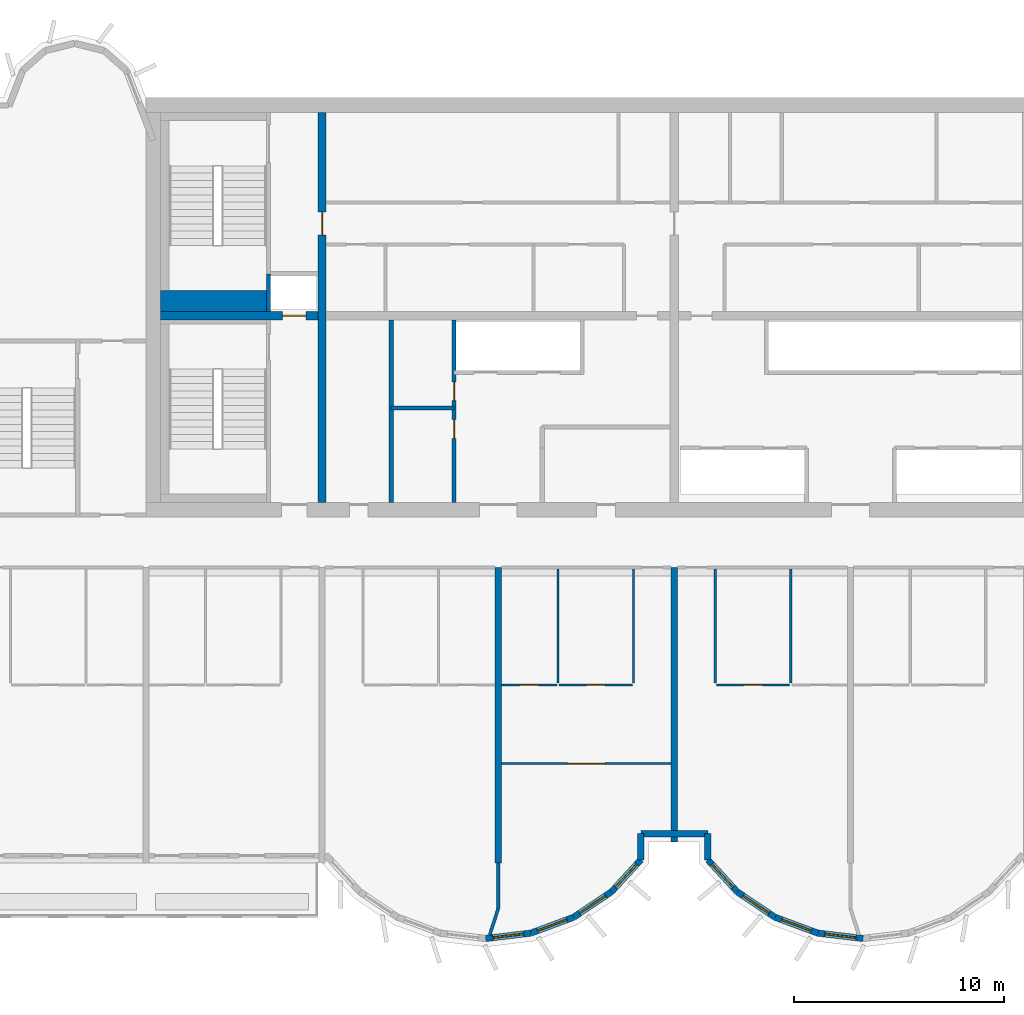
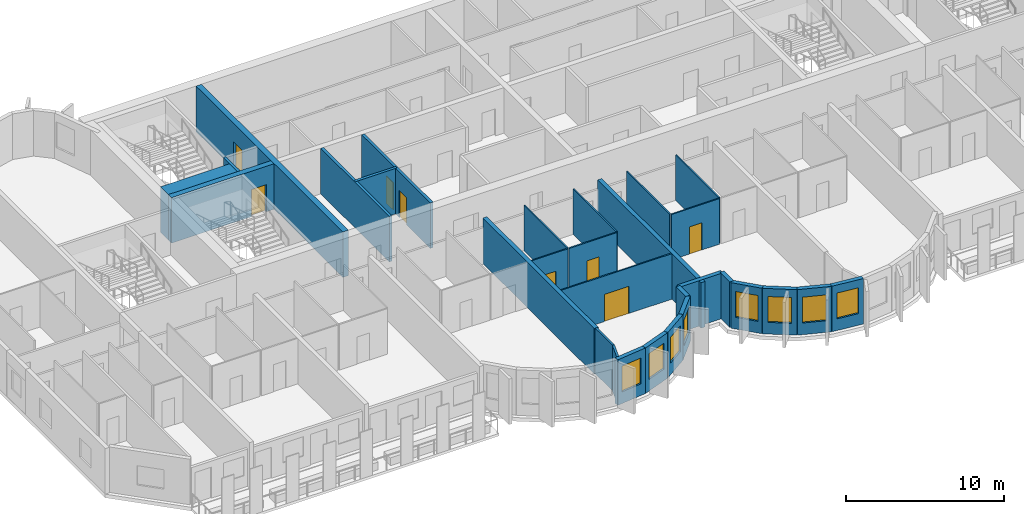
# One storey, part 4 of 13: 30 walls, 8 doors, 8 windows, 16 openings.
"""IFC4 building model written with IfcOpenShell, lengths in metres."""

from ifc_helpers import new_model, si_unit, direction, frame, frame_2d, origin, place, context, subcontext, project, spatial, rectangle, extrude, source, transform, mapped, material, layer, layer_set, type_object, element, fill, save


model = new_model("IFC4")

# Units and contexts
model_context = context("Model", 3, precision=1e-05, world=origin(), true_north=direction((0.0, 1.0)))
body_context = subcontext(model_context, "Body", "Model", "MODEL_VIEW")
ifc_project = project(units=[si_unit("LENGTHUNIT", "METRE"), si_unit("AREAUNIT", "SQUARE_METRE"), si_unit("VOLUMEUNIT", "CUBIC_METRE"), si_unit("PLANEANGLEUNIT", "RADIAN"), si_unit("MASSUNIT", "GRAM", prefix="KILO")], contexts=[model_context])

# Site, building, storey
site_placement = place(None, origin())
site = spatial("IfcSite", under=ifc_project, at=site_placement, CompositionType="ELEMENT")
building_placement = place(site_placement, origin())
building = spatial("IfcBuilding", under=site, at=building_placement, Name="Vanashikhar Sky Hotel", CompositionType="ELEMENT")
storey_placement = place(building_placement, frame((0.0, 0.0, 189.60009765625)))
storey = spatial("IfcBuildingStorey", under=building, at=storey_placement, Name="L46", CompositionType="ELEMENT", Elevation=189.60009765625)

# Wall, opening, door
ifc_material_1 = material(Name="Concrete M60", Category="concrete")
ifc_layer_1 = layer(ifc_material_1, 0.39990234375)
ifc_layer_set_1 = layer_set([ifc_layer_1], Name="RC core inner wall 400 Concrete M60")
wall_type_1 = type_object("IfcWallType", Name="RC core inner wall 400 Concrete M60", PredefinedType="SHEAR", material=ifc_layer_set_1)
shared_shape_1 = source(origin(), body_context, "Body", "SweptSolid", [
    extrude(rectangle(XDim=18.60009765625, YDim=0.39990234375, at=frame_2d((9.300048828125, 0.0))), origin(), (0.0, 0.0, 1.0), 3.52001953125),
])
wall_1_placement = place(storey_placement, frame((33.60009765625, 22.699951171875, 0.0), z_axis=(0.0, 0.0, 1.0), x_axis=(0.0, 1.0, 0.0)))
wall_1 = element("IfcWall", 1, at=wall_1_placement, inside=storey, type_object=wall_type_1, Name="KW-L46-KX1", PredefinedType="SHEAR", context=body_context, shape_type="MappedRepresentation", body=[
    mapped(shared_shape_1, transform((0.0, 0.0, 0.0), scale=1.0)),
])
shared_shape_2 = source(origin(), body_context, "Body", "SweptSolid", [
    extrude(rectangle(XDim=1.10009765625, YDim=2.10009765625, at=frame_2d((0.550048828125, 1.050048828125))), frame((0.0, 0.2099609375, 0.0), z_axis=(0.0, -1.0, 0.0), x_axis=(1.0, 0.0, 0.0)), (0.0, 0.0, 1.0), 0.419921875),
])
opening_1_placement = place(wall_1_placement, frame((12.75, 0.0, 0.0)))
opening_1 = element("IfcOpeningElement", 2, at=opening_1_placement, cuts=wall_1, Name="Opening DC-4-C", PredefinedType="OPENING", context=body_context, shape_type="MappedRepresentation", body=[
    mapped(shared_shape_2, transform((0.0, 0.0, 0.0), scale=1.0)),
])
ifc_material_2 = material(Name="Steel", Category="steel")
door_type_1 = type_object("IfcDoorType", Name="Service door 1100 FD60", OperationType="NOTDEFINED", PredefinedType="DOOR", material=ifc_material_2)
shared_shape_3 = source(origin(), body_context, "Body", "SweptSolid", [
    extrude(rectangle(XDim=1.10009765625, YDim=2.10009765625, at=frame_2d((0.550048828125, 1.050048828125))), frame((0.0, 0.02490234375, 0.0), z_axis=(0.0, -1.0, 0.0), x_axis=(1.0, 0.0, 0.0)), (0.0, 0.0, 1.0), 0.050048828125),
])
door_1_placement = place(opening_1_placement, origin())
door_1 = element("IfcDoor", 3, at=door_1_placement, inside=storey, type_object=door_type_1, Name="Service door 1100 FD60", OperationType="SINGLE_SWING_LEFT", OverallHeight=2.10009765625, OverallWidth=1.10009765625, PredefinedType="DOOR", context=body_context, shape_type="MappedRepresentation", body=[
    mapped(shared_shape_3, transform((0.0, 0.0, 0.0), scale=1.0)),
])
fill(opening_1, door_1)

shared_shape_4 = source(origin(), body_context, "Body", "SweptSolid", [
    extrude(rectangle(XDim=7.5, YDim=0.39990234375, at=frame_2d((3.75, 0.0))), origin(), (0.0, 0.0, 1.0), 3.52001953125),
])
wall_2_placement = place(storey_placement, frame((25.89990234375, 31.60009765625, 0.0), z_axis=(0.0, 0.0, 1.0), x_axis=(1.0, 0.0, 0.0)))
wall_2 = element("IfcWall", 4, at=wall_2_placement, inside=storey, type_object=wall_type_1, Name="KW-L46-KY1", PredefinedType="SHEAR", context=body_context, shape_type="MappedRepresentation", body=[
    mapped(shared_shape_4, transform((0.0, 0.0, 0.0), scale=1.0)),
])
opening_2_placement = place(wall_2_placement, frame((5.824951171875, 0.0, 0.0)))
opening_2 = element("IfcOpeningElement", 5, at=opening_2_placement, cuts=wall_2, Name="Opening LD", PredefinedType="OPENING", context=body_context, shape_type="MappedRepresentation", body=[
    mapped(shared_shape_2, transform((0.0, 0.0, 0.0), scale=1.0)),
])
ifc_material_3 = material(Name="Stainless steel", Category="steel")
door_type_2 = type_object("IfcDoorType", Name="Lift landing door 1100", OperationType="NOTDEFINED", PredefinedType="DOOR", material=ifc_material_3)
door_2_placement = place(opening_2_placement, origin())
door_2 = element("IfcDoor", 6, at=door_2_placement, inside=storey, type_object=door_type_2, Name="Lift landing door 1100", OperationType="SLIDING_TO_RIGHT", OverallHeight=2.10009765625, OverallWidth=1.10009765625, PredefinedType="DOOR", context=body_context, shape_type="MappedRepresentation", body=[
    mapped(shared_shape_3, transform((0.0, 0.0, 0.0), scale=1.0)),
])
fill(opening_2, door_2)

# Walls
ifc_layer_2 = layer(ifc_material_1, 0.300048828125)
ifc_layer_set_2 = layer_set([ifc_layer_2], Name="RC shear wall 300 Concrete M60")
wall_type_2 = type_object("IfcWallType", Name="RC shear wall 300 Concrete M60", PredefinedType="SHEAR", material=ifc_layer_set_2)
shared_shape_5 = source(origin(), body_context, "Body", "SweptSolid", [
    extrude(rectangle(XDim=14.10009765625, YDim=0.300048828125, at=frame_2d((7.050048828125, 0.0))), origin(), (0.0, 0.0, 1.0), 3.52001953125),
])
wall_3_placement = place(storey_placement, frame((42.0, 5.5, 0.0), z_axis=(0.0, 0.0, 1.0), x_axis=(0.0, 1.0, 0.0)))
element("IfcWall", 7, at=wall_3_placement, inside=storey, type_object=wall_type_2, Name="CW-L46-XW06-1", PredefinedType="SHEAR", context=body_context, shape_type="MappedRepresentation", body=[
    mapped(shared_shape_5, transform((0.0, 0.0, 0.0), scale=1.0)),
])
shared_shape_6 = source(origin(), body_context, "Body", "SweptSolid", [
    extrude(rectangle(XDim=13.10009765625, YDim=0.300048828125, at=frame_2d((6.550048828125, 0.0))), origin(), (0.0, 0.0, 1.0), 3.52001953125),
])
wall_4_placement = place(storey_placement, frame((50.39990234375, 6.5, 0.0), z_axis=(0.0, 0.0, 1.0), x_axis=(0.0, 1.0, 0.0)))
element("IfcWall", 8, at=wall_4_placement, inside=storey, type_object=wall_type_2, Name="CW-L46-XW07-1", PredefinedType="SHEAR", context=body_context, shape_type="MappedRepresentation", body=[
    mapped(shared_shape_6, transform((0.0, 0.0, 0.0), scale=1.0)),
])

# Wall, opening, window
ifc_material_4 = material(Name="Concrete M50", Category="concrete")
ifc_layer_3 = layer(ifc_material_4, 0.300048828125)
ifc_layer_set_3 = layer_set([ifc_layer_3], Name="Lobe wall 300")
wall_type_3 = type_object("IfcWallType", Name="Lobe wall 300", PredefinedType="SOLIDWALL", material=ifc_layer_set_3)
shared_shape_7 = source(origin(), body_context, "Body", "SweptSolid", [
    extrude(rectangle(XDim=2.17578125, YDim=0.300048828125, at=frame_2d((1.087890625, 0.0))), origin(), (0.0, 0.0, 1.0), 3.52001953125),
])
wall_5_placement = place(storey_placement, frame((45.59912109375, 2.91650390625, 0.0), z_axis=(0.0, 0.0, 1.0), x_axis=(0.829625727223, 0.558319937607, 0.0)))
wall_5 = element("IfcWall", 9, at=wall_5_placement, inside=storey, type_object=wall_type_3, Name="Lobe wall", PredefinedType="SOLIDWALL", context=body_context, shape_type="MappedRepresentation", body=[
    mapped(shared_shape_7, transform((0.0, 0.0, 0.0), scale=1.0)),
])
shared_shape_8 = source(origin(), body_context, "Body", "SweptSolid", [
    extrude(rectangle(XDim=1.5, YDim=2.0, at=frame_2d((0.75, 1.0))), frame((0.0, 0.16015625, 0.0), z_axis=(0.0, -1.0, 0.0), x_axis=(1.0, 0.0, 0.0)), (0.0, 0.0, 1.0), 0.320068359375),
])
opening_3_placement = place(wall_5_placement, frame((0.337890625, 0.0, 0.89990234375)))
opening_3 = element("IfcOpeningElement", 10, at=opening_3_placement, cuts=wall_5, Name="Opening WN-2", PredefinedType="OPENING", context=body_context, shape_type="MappedRepresentation", body=[
    mapped(shared_shape_8, transform((0.0, 0.0, 0.0), scale=1.0)),
])
ifc_material_5 = material(Name="Glass", Category="glass")
window_type = type_object("IfcWindowType", Name="Lobe window 1500 x 2000", PartitioningType="SINGLE_PANEL", PredefinedType="WINDOW", material=ifc_material_5)
shared_shape_9 = source(origin(), body_context, "Body", "SweptSolid", [
    extrude(rectangle(XDim=1.5, YDim=2.0, at=frame_2d((0.75, 1.0))), frame((0.0, 0.030029296875, 0.0), z_axis=(0.0, -1.0, 0.0), x_axis=(1.0, 0.0, 0.0)), (0.0, 0.0, 1.0), 0.06005859375),
])
window_1_placement = place(opening_3_placement, origin())
window_1 = element("IfcWindow", 11, at=window_1_placement, inside=storey, type_object=window_type, Name="Window WN-2", OverallHeight=2.0, OverallWidth=1.5, PartitioningType="SINGLE_PANEL", PredefinedType="WINDOW", context=body_context, shape_type="MappedRepresentation", body=[
    mapped(shared_shape_9, transform((0.0, 0.0, 0.0), scale=1.0)),
])
fill(opening_3, window_1)

wall_6_placement = place(storey_placement, frame((53.395751953125, 4.13134765625, 0.0), z_axis=(0.0, 0.0, 1.0), x_axis=(0.829590746428, -0.558371913192, 0.0)))
wall_6 = element("IfcWall", 12, at=wall_6_placement, inside=storey, type_object=wall_type_3, Name="Lobe wall", PredefinedType="SOLIDWALL", context=body_context, shape_type="MappedRepresentation", body=[
    mapped(shared_shape_7, transform((0.0, 0.0, 0.0), scale=1.0)),
])
opening_4_placement = place(wall_6_placement, frame((0.337890625, 0.0, 0.89990234375)))
opening_4 = element("IfcOpeningElement", 13, at=opening_4_placement, cuts=wall_6, Name="Opening WN-2", PredefinedType="OPENING", context=body_context, shape_type="MappedRepresentation", body=[
    mapped(shared_shape_8, transform((0.0, 0.0, 0.0), scale=1.0)),
])
window_2_placement = place(opening_4_placement, origin())
window_2 = element("IfcWindow", 14, at=window_2_placement, inside=storey, type_object=window_type, Name="Window WN-2", OverallHeight=2.0, OverallWidth=1.5, PartitioningType="SINGLE_PANEL", PredefinedType="WINDOW", context=body_context, shape_type="MappedRepresentation", body=[
    mapped(shared_shape_9, transform((0.0, 0.0, 0.0), scale=1.0)),
])
fill(opening_4, window_2)

wall_7_placement = place(storey_placement, frame((55.20068359375, 2.91650390625, 0.0), z_axis=(0.0, 0.0, 1.0), x_axis=(0.93754555999, -0.347862505801, 0.0)))
wall_7 = element("IfcWall", 15, at=wall_7_placement, inside=storey, type_object=wall_type_3, Name="Lobe wall", PredefinedType="SOLIDWALL", context=body_context, shape_type="MappedRepresentation", body=[
    mapped(shared_shape_7, transform((0.0, 0.0, 0.0), scale=1.0)),
])
opening_5_placement = place(wall_7_placement, frame((0.337890625, 0.0, 0.89990234375)))
opening_5 = element("IfcOpeningElement", 16, at=opening_5_placement, cuts=wall_7, Name="Opening WN-2", PredefinedType="OPENING", context=body_context, shape_type="MappedRepresentation", body=[
    mapped(shared_shape_8, transform((0.0, 0.0, 0.0), scale=1.0)),
])
window_3_placement = place(opening_5_placement, origin())
window_3 = element("IfcWindow", 17, at=window_3_placement, inside=storey, type_object=window_type, Name="Window WN-2", OverallHeight=2.0, OverallWidth=1.5, PartitioningType="SINGLE_PANEL", PredefinedType="WINDOW", context=body_context, shape_type="MappedRepresentation", body=[
    mapped(shared_shape_9, transform((0.0, 0.0, 0.0), scale=1.0)),
])
fill(opening_5, window_3)

shared_shape_10 = source(origin(), body_context, "Body", "SweptSolid", [
    extrude(rectangle(XDim=2.174560546875, YDim=0.300048828125, at=frame_2d((1.08740234375, 0.0))), origin(), (0.0, 0.0, 1.0), 3.52001953125),
])
wall_8_placement = place(storey_placement, frame((57.240478515625, 2.15966796875, 0.0), z_axis=(0.0, 0.0, 1.0), x_axis=(0.993001132889, -0.118104826659, 0.0)))
wall_8 = element("IfcWall", 18, at=wall_8_placement, inside=storey, type_object=wall_type_3, Name="Lobe wall", PredefinedType="SOLIDWALL", context=body_context, shape_type="MappedRepresentation", body=[
    mapped(shared_shape_10, transform((0.0, 0.0, 0.0), scale=1.0)),
])
opening_6_placement = place(wall_8_placement, frame((0.33740234375, 0.0, 0.89990234375)))
opening_6 = element("IfcOpeningElement", 19, at=opening_6_placement, cuts=wall_8, Name="Opening WN-2", PredefinedType="OPENING", context=body_context, shape_type="MappedRepresentation", body=[
    mapped(shared_shape_8, transform((0.0, 0.0, 0.0), scale=1.0)),
])
window_4_placement = place(opening_6_placement, origin())
window_4 = element("IfcWindow", 20, at=window_4_placement, inside=storey, type_object=window_type, Name="Window WN-2", OverallHeight=2.0, OverallWidth=1.5, PartitioningType="SINGLE_PANEL", PredefinedType="WINDOW", context=body_context, shape_type="MappedRepresentation", body=[
    mapped(shared_shape_9, transform((0.0, 0.0, 0.0), scale=1.0)),
])
fill(opening_6, window_4)

shared_shape_11 = source(origin(), body_context, "Body", "SweptSolid", [
    extrude(rectangle(XDim=2.1748046875, YDim=0.300048828125, at=frame_2d((1.08740234375, 0.0))), origin(), (0.0, 0.0, 1.0), 3.52001953125),
])
wall_9_placement = place(storey_placement, frame((41.39990234375, 1.90283203125, 0.0), z_axis=(0.0, 0.0, 1.0), x_axis=(0.993002698611, 0.118091661648, 0.0)))
wall_9 = element("IfcWall", 21, at=wall_9_placement, inside=storey, type_object=wall_type_3, Name="Lobe wall", PredefinedType="SOLIDWALL", context=body_context, shape_type="MappedRepresentation", body=[
    mapped(shared_shape_11, transform((0.0, 0.0, 0.0), scale=1.0)),
])
opening_7_placement = place(wall_9_placement, frame((0.33740234375, 0.0, 0.89990234375)))
opening_7 = element("IfcOpeningElement", 22, at=opening_7_placement, cuts=wall_9, Name="Opening WN-2", PredefinedType="OPENING", context=body_context, shape_type="MappedRepresentation", body=[
    mapped(shared_shape_8, transform((0.0, 0.0, 0.0), scale=1.0)),
])
window_5_placement = place(opening_7_placement, origin())
window_5 = element("IfcWindow", 23, at=window_5_placement, inside=storey, type_object=window_type, Name="Window WN-2", OverallHeight=2.0, OverallWidth=1.5, PartitioningType="SINGLE_PANEL", PredefinedType="WINDOW", context=body_context, shape_type="MappedRepresentation", body=[
    mapped(shared_shape_9, transform((0.0, 0.0, 0.0), scale=1.0)),
])
fill(opening_7, window_5)

shared_shape_12 = source(origin(), body_context, "Body", "SweptSolid", [
    extrude(rectangle(XDim=2.175537109375, YDim=0.300048828125, at=frame_2d((1.087890625, 0.0))), origin(), (0.0, 0.0, 1.0), 3.52001953125),
])
wall_10_placement = place(storey_placement, frame((43.5595703125, 2.15966796875, 0.0), z_axis=(0.0, 0.0, 1.0), x_axis=(0.937531979054, 0.347899106424, 0.0)))
wall_10 = element("IfcWall", 24, at=wall_10_placement, inside=storey, type_object=wall_type_3, Name="Lobe wall", PredefinedType="SOLIDWALL", context=body_context, shape_type="MappedRepresentation", body=[
    mapped(shared_shape_12, transform((0.0, 0.0, 0.0), scale=1.0)),
])
opening_8_placement = place(wall_10_placement, frame((0.337890625, 0.0, 0.89990234375)))
opening_8 = element("IfcOpeningElement", 25, at=opening_8_placement, cuts=wall_10, Name="Opening WN-2", PredefinedType="OPENING", context=body_context, shape_type="MappedRepresentation", body=[
    mapped(shared_shape_8, transform((0.0, 0.0, 0.0), scale=1.0)),
])
window_6_placement = place(opening_8_placement, origin())
window_6 = element("IfcWindow", 26, at=window_6_placement, inside=storey, type_object=window_type, Name="Window WN-2", OverallHeight=2.0, OverallWidth=1.5, PartitioningType="SINGLE_PANEL", PredefinedType="WINDOW", context=body_context, shape_type="MappedRepresentation", body=[
    mapped(shared_shape_9, transform((0.0, 0.0, 0.0), scale=1.0)),
])
fill(opening_8, window_6)

shared_shape_13 = source(origin(), body_context, "Body", "SweptSolid", [
    extrude(rectangle(XDim=2.066650390625, YDim=0.300048828125, at=frame_2d((1.033203125, 0.0))), origin(), (0.0, 0.0, 1.0), 3.52001953125),
])
wall_11_placement = place(storey_placement, frame((47.404296875, 4.13134765625, 0.0), z_axis=(0.0, 0.0, 1.0), x_axis=(0.675355439877, 0.737492393065, 0.0)))
wall_11 = element("IfcWall", 27, at=wall_11_placement, inside=storey, type_object=wall_type_3, Name="Lobe wall", PredefinedType="SOLIDWALL", context=body_context, shape_type="MappedRepresentation", body=[
    mapped(shared_shape_13, transform((0.0, 0.0, 0.0), scale=1.0)),
])
opening_9_placement = place(wall_11_placement, frame((0.283447265625, 0.0, 0.89990234375)))
opening_9 = element("IfcOpeningElement", 28, at=opening_9_placement, cuts=wall_11, Name="Opening WN-2", PredefinedType="OPENING", context=body_context, shape_type="MappedRepresentation", body=[
    mapped(shared_shape_8, transform((0.0, 0.0, 0.0), scale=1.0)),
])
window_7_placement = place(opening_9_placement, origin())
window_7 = element("IfcWindow", 29, at=window_7_placement, inside=storey, type_object=window_type, Name="Window WN-2", OverallHeight=2.0, OverallWidth=1.5, PartitioningType="SINGLE_PANEL", PredefinedType="WINDOW", context=body_context, shape_type="MappedRepresentation", body=[
    mapped(shared_shape_9, transform((0.0, 0.0, 0.0), scale=1.0)),
])
fill(opening_9, window_7)

wall_12_placement = place(storey_placement, frame((52.0, 5.655517578125, 0.0), z_axis=(0.0, 0.0, 1.0), x_axis=(0.675355439877, -0.737492393065, 0.0)))
wall_12 = element("IfcWall", 30, at=wall_12_placement, inside=storey, type_object=wall_type_3, Name="Lobe wall", PredefinedType="SOLIDWALL", context=body_context, shape_type="MappedRepresentation", body=[
    mapped(shared_shape_13, transform((0.0, 0.0, 0.0), scale=1.0)),
])
opening_10_placement = place(wall_12_placement, frame((0.283447265625, 0.0, 0.89990234375)))
opening_10 = element("IfcOpeningElement", 31, at=opening_10_placement, cuts=wall_12, Name="Opening WN-2", PredefinedType="OPENING", context=body_context, shape_type="MappedRepresentation", body=[
    mapped(shared_shape_8, transform((0.0, 0.0, 0.0), scale=1.0)),
])
window_8_placement = place(opening_10_placement, origin())
window_8 = element("IfcWindow", 32, at=window_8_placement, inside=storey, type_object=window_type, Name="Window WN-2", OverallHeight=2.0, OverallWidth=1.5, PartitioningType="SINGLE_PANEL", PredefinedType="WINDOW", context=body_context, shape_type="MappedRepresentation", body=[
    mapped(shared_shape_9, transform((0.0, 0.0, 0.0), scale=1.0)),
])
fill(opening_10, window_8)

# Walls
shared_shape_14 = source(origin(), body_context, "Body", "SweptSolid", [
    extrude(rectangle(XDim=1.244384765625, YDim=0.300048828125, at=frame_2d((0.6220703125, 0.0))), origin(), (0.0, 0.0, 1.0), 3.52001953125),
])
for number, where, z_axis, x_axis, name in (
    (33, (48.800048828125, 5.655517578125, 0.0), (0.0, 0.0, 1.0), (0.0, 1.0, 0.0), "Groove wall"),
    (34, (52.0, 6.89990234375, 0.0), (0.0, 0.0, 1.0), (0.0, -1.0, 0.0), "Groove wall"),
):
    element("IfcWall", number, at=place(storey_placement, frame(where, z_axis=z_axis, x_axis=x_axis)), inside=storey, type_object=wall_type_3, Name=name, PredefinedType="SOLIDWALL", context=body_context, shape_type="MappedRepresentation", body=[
        mapped(shared_shape_14, transform((0.0, 0.0, 0.0), scale=1.0)),
    ])
shared_shape_15 = source(origin(), body_context, "Body", "SweptSolid", [
    extrude(rectangle(XDim=3.199951171875, YDim=0.300048828125, at=frame_2d((1.60009765625, 0.0))), origin(), (0.0, 0.0, 1.0), 3.52001953125),
])
wall_13_placement = place(storey_placement, frame((48.800048828125, 6.89990234375, 0.0), z_axis=(0.0, 0.0, 1.0), x_axis=(1.0, 0.0, 0.0)))
element("IfcWall", 35, at=wall_13_placement, inside=storey, type_object=wall_type_3, Name="Groove wall", PredefinedType="SOLIDWALL", context=body_context, shape_type="MappedRepresentation", body=[
    mapped(shared_shape_15, transform((0.0, 0.0, 0.0), scale=1.0)),
])

# Wall, openings, doors
ifc_material_6 = material(Name="Gypsum board partition")
ifc_layer_4 = layer(ifc_material_6, 0.14990234375)
ifc_layer_set_4 = layer_set([ifc_layer_4], Name="Service partition 150")
wall_type_4 = type_object("IfcWallType", Name="Service partition 150", PredefinedType="PARTITIONING", material=ifc_layer_set_4)
shared_shape_16 = source(origin(), body_context, "Body", "SweptSolid", [
    extrude(rectangle(XDim=8.699951171875, YDim=0.199951171875, at=frame_2d((4.35009765625, 0.0))), origin(), (0.0, 0.0, 1.0), 3.52001953125),
])
wall_14_placement = place(storey_placement, frame((39.89990234375, 22.699951171875, 0.0), z_axis=(0.0, 0.0, 1.0), x_axis=(0.0, 1.0, 0.0)))
wall_14 = element("IfcWall", 36, at=wall_14_placement, inside=storey, type_object=wall_type_4, Name="Service partition 150", PredefinedType="PARTITIONING", context=body_context, shape_type="MappedRepresentation", body=[
    mapped(shared_shape_16, transform((0.0, 0.0, 0.0), scale=1.0)),
])
shared_shape_17 = source(origin(), body_context, "Body", "SweptSolid", [
    extrude(rectangle(XDim=0.89990234375, YDim=2.10009765625, at=frame_2d((0.449951171875, 1.050048828125))), frame((0.0, 0.10986328125, 0.0), z_axis=(0.0, -1.0, 0.0), x_axis=(1.0, 0.0, 0.0)), (0.0, 0.0, 1.0), 0.219970703125),
])
opening_11_placement = place(wall_14_placement, frame((3.050048828125, 0.0, 0.0)))
opening_11 = element("IfcOpeningElement", 37, at=opening_11_placement, cuts=wall_14, Name="Opening DC-4-A", PredefinedType="OPENING", context=body_context, shape_type="MappedRepresentation", body=[
    mapped(shared_shape_17, transform((0.0, 0.0, 0.0), scale=1.0)),
])
opening_12_placement = place(wall_14_placement, frame((4.85009765625, 0.0, 0.0)))
opening_12 = element("IfcOpeningElement", 38, at=opening_12_placement, cuts=wall_14, Name="Opening DC-4-A", PredefinedType="OPENING", context=body_context, shape_type="MappedRepresentation", body=[
    mapped(shared_shape_17, transform((0.0, 0.0, 0.0), scale=1.0)),
])
door_type_3 = type_object("IfcDoorType", Name="Service door 900 FD60", OperationType="NOTDEFINED", PredefinedType="DOOR", material=ifc_material_2)
shared_shape_18 = source(origin(), body_context, "Body", "SweptSolid", [
    extrude(rectangle(XDim=0.89990234375, YDim=2.10009765625, at=frame_2d((0.449951171875, 1.050048828125))), frame((0.0, 0.02490234375, 0.0), z_axis=(0.0, -1.0, 0.0), x_axis=(1.0, 0.0, 0.0)), (0.0, 0.0, 1.0), 0.050048828125),
])
door_3_placement = place(opening_11_placement, origin())
door_3 = element("IfcDoor", 39, at=door_3_placement, inside=storey, type_object=door_type_3, Name="Service door 900 FD60", OperationType="SINGLE_SWING_LEFT", OverallHeight=2.10009765625, OverallWidth=0.89990234375, PredefinedType="DOOR", context=body_context, shape_type="MappedRepresentation", body=[
    mapped(shared_shape_18, transform((0.0, 0.0, 0.0), scale=1.0)),
])
fill(opening_11, door_3)
door_4_placement = place(opening_12_placement, origin())
door_4 = element("IfcDoor", 40, at=door_4_placement, inside=storey, type_object=door_type_3, Name="Service door 900 FD60", OperationType="SINGLE_SWING_RIGHT", OverallHeight=2.10009765625, OverallWidth=0.89990234375, PredefinedType="DOOR", context=body_context, shape_type="MappedRepresentation", body=[
    mapped(shared_shape_18, transform((0.0, 0.0, 0.0), scale=1.0)),
])
fill(opening_12, door_4)

# Walls
wall_15_placement = place(storey_placement, frame((36.89990234375, 22.699951171875, 0.0), z_axis=(0.0, 0.0, 1.0), x_axis=(0.0, 1.0, 0.0)))
element("IfcWall", 41, at=wall_15_placement, inside=storey, type_object=wall_type_4, Name="Service partition 150", PredefinedType="PARTITIONING", context=body_context, shape_type="MappedRepresentation", body=[
    mapped(shared_shape_16, transform((0.0, 0.0, 0.0), scale=1.0)),
])
ifc_material_7 = material(Name="Concrete M40", Category="concrete")
ifc_layer_5 = layer(ifc_material_7, 0.199951171875)
ifc_layer_set_5 = layer_set([ifc_layer_5], Name="Shaft wall 200")
wall_type_5 = type_object("IfcWallType", Name="Shaft wall 200", PredefinedType="SOLIDWALL", material=ifc_layer_set_5)
shared_shape_19 = source(origin(), body_context, "Body", "SweptSolid", [
    extrude(rectangle(XDim=1.800048828125, YDim=0.199951171875, at=frame_2d((0.89990234375, 0.0))), origin(), (0.0, 0.0, 1.0), 3.52001953125),
])
wall_16_placement = place(storey_placement, frame((31.050048828125, 31.800048828125, 0.0), z_axis=(0.0, 0.0, 1.0), x_axis=(0.0, 1.0, 0.0)))
element("IfcWall", 42, at=wall_16_placement, inside=storey, type_object=wall_type_5, Name="Shaft wall 200", PredefinedType="SOLIDWALL", context=body_context, shape_type="MappedRepresentation", body=[
    mapped(shared_shape_19, transform((0.0, 0.0, 0.0), scale=1.0)),
])
ifc_layer_6 = layer(ifc_material_4, 1.0)
ifc_layer_set_6 = layer_set([ifc_layer_6], Name="Stair infill wall 1000")
wall_type_6 = type_object("IfcWallType", Name="Stair infill wall 1000", PredefinedType="SOLIDWALL", material=ifc_layer_set_6)
shared_shape_20 = source(origin(), body_context, "Body", "SweptSolid", [
    extrude(rectangle(XDim=5.050048828125, YDim=1.0, at=frame_2d((2.52490234375, 0.0))), origin(), (0.0, 0.0, 1.0), 3.52001953125),
])
wall_17_placement = place(storey_placement, frame((25.89990234375, 32.300048828125, 0.0), z_axis=(0.0, 0.0, 1.0), x_axis=(1.0, 0.0, 0.0)))
element("IfcWall", 43, at=wall_17_placement, inside=storey, type_object=wall_type_6, Name="Stair infill wall 1000", PredefinedType="SOLIDWALL", context=body_context, shape_type="MappedRepresentation", body=[
    mapped(shared_shape_20, transform((0.0, 0.0, 0.0), scale=1.0)),
])
shared_shape_21 = source(origin(), body_context, "Body", "SweptSolid", [
    extrude(rectangle(XDim=3.0, YDim=0.199951171875, at=frame_2d((1.5, 0.0))), origin(), (0.0, 0.0, 1.0), 3.52001953125),
])
wall_18_placement = place(storey_placement, frame((36.89990234375, 27.199951171875, 0.0), z_axis=(0.0, 0.0, 1.0), x_axis=(1.0, 0.0, 0.0)))
element("IfcWall", 44, at=wall_18_placement, inside=storey, type_object=wall_type_4, Name="Service partition 150", PredefinedType="PARTITIONING", context=body_context, shape_type="MappedRepresentation", body=[
    mapped(shared_shape_21, transform((0.0, 0.0, 0.0), scale=1.0)),
])
ifc_material_8 = material(Name="Gypsum plasterboard partition")
ifc_layer_7 = layer(ifc_material_8, 0.14990234375)
ifc_layer_set_7 = layer_set([ifc_layer_7], Name="Corridor and demising partition 150")
wall_type_7 = type_object("IfcWallType", Name="Corridor and demising partition 150", PredefinedType="PARTITIONING", material=ifc_layer_set_7)
shared_shape_22 = source(origin(), body_context, "Body", "SweptSolid", [
    extrude(rectangle(XDim=2.177978515625, YDim=0.14990234375, at=frame_2d((1.0888671875, 0.0))), origin(), (0.0, 0.0, 1.0), 3.52001953125),
])
wall_19_placement = place(storey_placement, frame((42.0, 3.322021484375, 0.0), z_axis=(0.0, 0.0, 1.0), x_axis=(0.0, 1.0, 0.0)))
element("IfcWall", 45, at=wall_19_placement, inside=storey, type_object=wall_type_7, Name="W-L46-PW058", PredefinedType="PARTITIONING", context=body_context, shape_type="MappedRepresentation", body=[
    mapped(shared_shape_22, transform((0.0, 0.0, 0.0), scale=1.0)),
])

# Wall, opening, door
ifc_layer_8 = layer(ifc_material_8, 0.10009765625)
ifc_layer_set_8 = layer_set([ifc_layer_8], Name="Wet room partition 100")
wall_type_8 = type_object("IfcWallType", Name="Wet room partition 100", PredefinedType="PARTITIONING", material=ifc_layer_set_8)
shared_shape_23 = source(origin(), body_context, "Body", "SweptSolid", [
    extrude(rectangle(XDim=3.5, YDim=0.10009765625, at=frame_2d((1.75, 0.0))), origin(), (0.0, 0.0, 1.0), 3.52001953125),
])
wall_20_placement = place(storey_placement, frame((44.89990234375, 14.0, 0.0), z_axis=(0.0, 0.0, 1.0), x_axis=(1.0, 0.0, 0.0)))
wall_20 = element("IfcWall", 46, at=wall_20_placement, inside=storey, type_object=wall_type_8, Name="W-L46-PW025", PredefinedType="PARTITIONING", context=body_context, shape_type="MappedRepresentation", body=[
    mapped(shared_shape_23, transform((0.0, 0.0, 0.0), scale=1.0)),
])
shared_shape_24 = source(origin(), body_context, "Body", "SweptSolid", [
    extrude(rectangle(XDim=0.89990234375, YDim=2.10009765625, at=frame_2d((0.449951171875, 1.050048828125))), frame((0.0, 0.06005859375, 0.0), z_axis=(0.0, -1.0, 0.0), x_axis=(1.0, 0.0, 0.0)), (0.0, 0.0, 1.0), 0.1201171875),
])
opening_13_placement = place(wall_20_placement, frame((1.300048828125, 0.0, 0.0)))
opening_13 = element("IfcOpeningElement", 47, at=opening_13_placement, cuts=wall_20, Name="Opening D-02", PredefinedType="OPENING", context=body_context, shape_type="MappedRepresentation", body=[
    mapped(shared_shape_24, transform((0.0, 0.0, 0.0), scale=1.0)),
])
ifc_material_9 = material(Name="Timber door", Category="wood")
door_type_4 = type_object("IfcDoorType", Name="Internal door 900", OperationType="NOTDEFINED", PredefinedType="DOOR", material=ifc_material_9)
door_5_placement = place(opening_13_placement, origin())
door_5 = element("IfcDoor", 48, at=door_5_placement, inside=storey, type_object=door_type_4, Name="D-L46-014", OperationType="SINGLE_SWING_RIGHT", OverallHeight=2.10009765625, OverallWidth=0.89990234375, PredefinedType="DOOR", context=body_context, shape_type="MappedRepresentation", body=[
    mapped(shared_shape_18, transform((0.0, 0.0, 0.0), scale=1.0)),
])
fill(opening_13, door_5)

wall_21_placement = place(storey_placement, frame((52.39990234375, 14.0, 0.0), z_axis=(0.0, 0.0, 1.0), x_axis=(1.0, 0.0, 0.0)))
wall_21 = element("IfcWall", 49, at=wall_21_placement, inside=storey, type_object=wall_type_8, Name="W-L46-PW031", PredefinedType="PARTITIONING", context=body_context, shape_type="MappedRepresentation", body=[
    mapped(shared_shape_23, transform((0.0, 0.0, 0.0), scale=1.0)),
])
opening_14_placement = place(wall_21_placement, frame((1.300048828125, 0.0, 0.0)))
opening_14 = element("IfcOpeningElement", 50, at=opening_14_placement, cuts=wall_21, Name="Opening D-02", PredefinedType="OPENING", context=body_context, shape_type="MappedRepresentation", body=[
    mapped(shared_shape_24, transform((0.0, 0.0, 0.0), scale=1.0)),
])
door_6_placement = place(opening_14_placement, origin())
door_6 = element("IfcDoor", 51, at=door_6_placement, inside=storey, type_object=door_type_4, Name="D-L46-018", OperationType="SINGLE_SWING_LEFT", OverallHeight=2.10009765625, OverallWidth=0.89990234375, PredefinedType="DOOR", context=body_context, shape_type="MappedRepresentation", body=[
    mapped(shared_shape_18, transform((0.0, 0.0, 0.0), scale=1.0)),
])
fill(opening_14, door_6)

# Walls
shared_shape_25 = source(origin(), body_context, "Body", "SweptSolid", [
    extrude(rectangle(XDim=1.308349609375, YDim=0.14990234375, at=frame_2d((0.654296875, 0.0))), origin(), (0.0, 0.0, 1.0), 3.52001953125),
])
wall_22_placement = place(storey_placement, frame((41.597900390625, 2.076904296875, 0.0), z_axis=(0.0, 0.0, 1.0), x_axis=(0.307313512187, 0.951608325535, 0.0)))
element("IfcWall", 52, at=wall_22_placement, inside=storey, type_object=wall_type_7, Name="W-L46-PW058B0", PredefinedType="PARTITIONING", context=body_context, shape_type="MappedRepresentation", body=[
    mapped(shared_shape_25, transform((0.0, 0.0, 0.0), scale=1.0)),
])
shared_shape_26 = source(origin(), body_context, "Body", "SweptSolid", [
    extrude(rectangle(XDim=5.449951171875, YDim=0.10009765625, at=frame_2d((2.72509765625, 0.0))), origin(), (0.0, 0.0, 1.0), 3.52001953125),
])
for number, where, z_axis, x_axis, name in (
    (53, (48.449951171875, 14.074951171875, 0.0), (0.0, 0.0, 1.0), (0.0, 1.0, 0.0), "W-L46-PW023"),
    (54, (44.85009765625, 14.074951171875, 0.0), (0.0, 0.0, 1.0), (0.0, 1.0, 0.0), "W-L46-PW024"),
    (55, (52.35009765625, 14.074951171875, 0.0), (0.0, 0.0, 1.0), (0.0, 1.0, 0.0), "W-L46-PW029"),
    (56, (55.949951171875, 14.074951171875, 0.0), (0.0, 0.0, 1.0), (0.0, 1.0, 0.0), "W-L46-PW030"),
):
    element("IfcWall", number, at=place(storey_placement, frame(where, z_axis=z_axis, x_axis=x_axis)), inside=storey, type_object=wall_type_8, Name=name, PredefinedType="PARTITIONING", context=body_context, shape_type="MappedRepresentation", body=[
        mapped(shared_shape_26, transform((0.0, 0.0, 0.0), scale=1.0)),
    ])

# Wall, opening, door
shared_shape_27 = source(origin(), body_context, "Body", "SweptSolid", [
    extrude(rectangle(XDim=2.650146484375, YDim=0.10009765625, at=frame_2d((1.3251953125, 0.0))), origin(), (0.0, 0.0, 1.0), 3.52001953125),
])
wall_23_placement = place(storey_placement, frame((42.14990234375, 14.0, 0.0), z_axis=(0.0, 0.0, 1.0), x_axis=(1.0, 0.0, 0.0)))
wall_23 = element("IfcWall", 57, at=wall_23_placement, inside=storey, type_object=wall_type_8, Name="W-L46-PW026", PredefinedType="PARTITIONING", context=body_context, shape_type="MappedRepresentation", body=[
    mapped(shared_shape_27, transform((0.0, 0.0, 0.0), scale=1.0)),
])
opening_15_placement = place(wall_23_placement, frame((0.875, 0.0, 0.0)))
opening_15 = element("IfcOpeningElement", 58, at=opening_15_placement, cuts=wall_23, Name="Opening D-02", PredefinedType="OPENING", context=body_context, shape_type="MappedRepresentation", body=[
    mapped(shared_shape_24, transform((0.0, 0.0, 0.0), scale=1.0)),
])
door_7_placement = place(opening_15_placement, origin())
door_7 = element("IfcDoor", 59, at=door_7_placement, inside=storey, type_object=door_type_4, Name="D-L46-015", OperationType="SINGLE_SWING_RIGHT", OverallHeight=2.10009765625, OverallWidth=0.89990234375, PredefinedType="DOOR", context=body_context, shape_type="MappedRepresentation", body=[
    mapped(shared_shape_18, transform((0.0, 0.0, 0.0), scale=1.0)),
])
fill(opening_15, door_7)

shared_shape_28 = source(origin(), body_context, "Body", "SweptSolid", [
    extrude(rectangle(XDim=8.10009765625, YDim=0.10009765625, at=frame_2d((4.050048828125, 0.0))), origin(), (0.0, 0.0, 1.0), 3.52001953125),
])
wall_24_placement = place(storey_placement, frame((42.14990234375, 10.242919921875, 0.0), z_axis=(0.0, 0.0, 1.0), x_axis=(1.0, 0.0, 0.0)))
wall_24 = element("IfcWall", 60, at=wall_24_placement, inside=storey, type_object=wall_type_8, Name="W-L46-PW027", PredefinedType="PARTITIONING", context=body_context, shape_type="MappedRepresentation", body=[
    mapped(shared_shape_28, transform((0.0, 0.0, 0.0), scale=1.0)),
])
shared_shape_29 = source(origin(), body_context, "Body", "SweptSolid", [
    extrude(rectangle(XDim=1.800048828125, YDim=2.10009765625, at=frame_2d((0.89990234375, 1.050048828125))), frame((0.0, 0.06005859375, 0.0), z_axis=(0.0, -1.0, 0.0), x_axis=(1.0, 0.0, 0.0)), (0.0, 0.0, 1.0), 0.1201171875),
])
opening_16_placement = place(wall_24_placement, frame((3.14990234375, 0.0, 0.0)))
opening_16 = element("IfcOpeningElement", 61, at=opening_16_placement, cuts=wall_24, Name="Opening D-08", PredefinedType="OPENING", context=body_context, shape_type="MappedRepresentation", body=[
    mapped(shared_shape_29, transform((0.0, 0.0, 0.0), scale=1.0)),
])
door_type_5 = type_object("IfcDoorType", Name="Double leaf door 1800", OperationType="NOTDEFINED", PredefinedType="DOOR", material=ifc_material_9)
shared_shape_30 = source(origin(), body_context, "Body", "SweptSolid", [
    extrude(rectangle(XDim=1.800048828125, YDim=2.10009765625, at=frame_2d((0.89990234375, 1.050048828125))), frame((0.0, 0.02490234375, 0.0), z_axis=(0.0, -1.0, 0.0), x_axis=(1.0, 0.0, 0.0)), (0.0, 0.0, 1.0), 0.050048828125),
])
door_8_placement = place(opening_16_placement, origin())
door_8 = element("IfcDoor", 62, at=door_8_placement, inside=storey, type_object=door_type_5, Name="D-L46-016", OperationType="DOUBLE_DOOR_SINGLE_SWING", OverallHeight=2.10009765625, OverallWidth=1.800048828125, PredefinedType="DOOR", context=body_context, shape_type="MappedRepresentation", body=[
    mapped(shared_shape_30, transform((0.0, 0.0, 0.0), scale=1.0)),
])
fill(opening_16, door_8)

save(model, "model.ifc")
